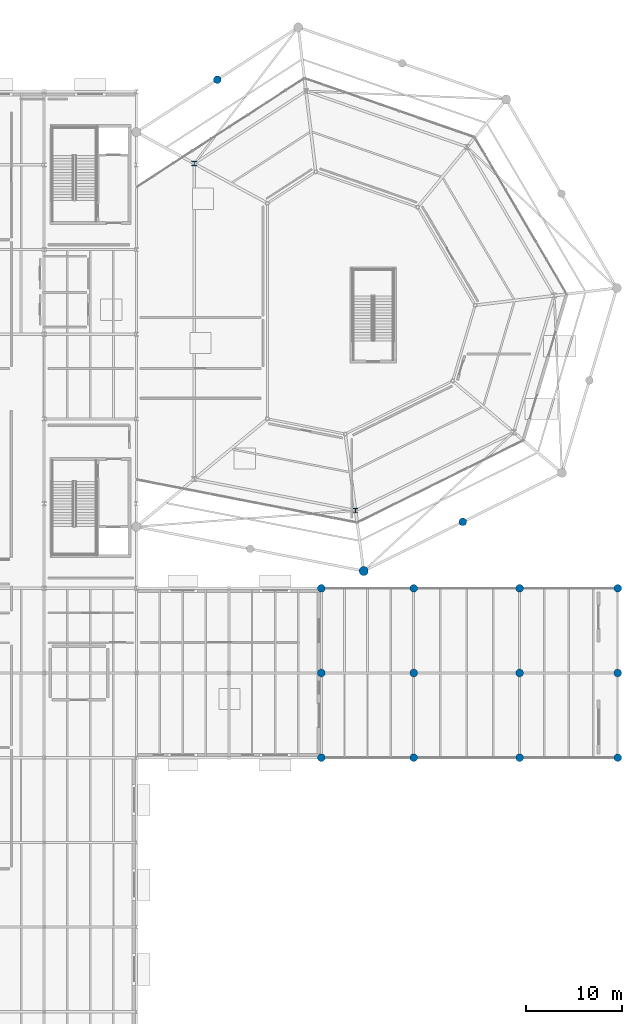
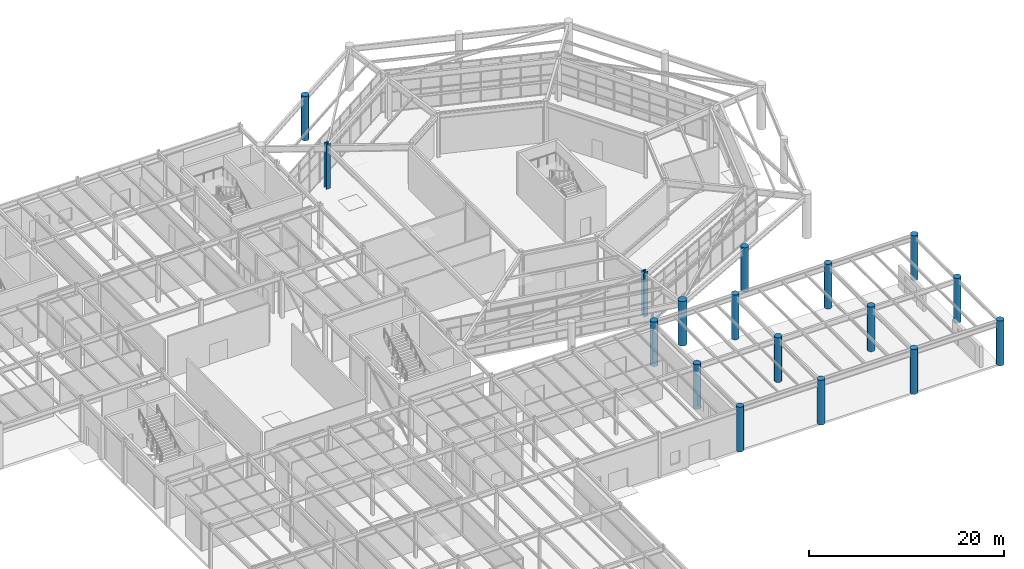
# One storey, part 14 of 70: 17 columns.
"""IFC4 building model written with IfcOpenShell, lengths in metres."""

from ifc_helpers import new_model, si_unit, direction, frame, origin, origin_2d, place, context, subcontext, project, spatial, circle, i_section, extrude, material, material_profile, profile_set, type_object, element, save


model = new_model("IFC4")

# Units and contexts
model_context = context("Model", 3, precision=1e-05, world=origin(), true_north=direction((0.0, 1.0)))
body_context = subcontext(model_context, "Body", "Model", "MODEL_VIEW")
ifc_project = project(units=[si_unit("LENGTHUNIT", "METRE"), si_unit("AREAUNIT", "SQUARE_METRE"), si_unit("VOLUMEUNIT", "CUBIC_METRE"), si_unit("PLANEANGLEUNIT", "RADIAN"), si_unit("MASSUNIT", "GRAM", prefix="KILO")], contexts=[model_context])

# Site, building, storey
site_placement = place(None, origin())
site = spatial("IfcSite", under=ifc_project, at=site_placement, CompositionType="ELEMENT")
building_placement = place(site_placement, origin())
building = spatial("IfcBuilding", under=site, at=building_placement, Name="Sarnbrook Museum", CompositionType="ELEMENT")
storey_placement = place(building_placement, origin())
storey = spatial("IfcBuildingStorey", under=building, at=storey_placement, Name="L00", CompositionType="ELEMENT", Elevation=0.0)

# Columns
ifc_material_1 = material(Name="Concrete N50 (AS 3600, f'c = 50 MPa)", Category="concrete")
ifc_material_profile_1 = material_profile(ifc_material_1, circle(Radius=0.39990234375, at=origin_2d()), Name="DORIC D800")
ifc_profile_set_1 = profile_set([ifc_material_profile_1], Name="Concrete N50 (AS 3600, f'c = 50 MPa)")
column_type_1 = type_object("IfcColumnType", Name="COL-DORIC800", PredefinedType="COLUMN", material=ifc_profile_set_1)
for number, where, z_axis, x_axis, name in (
    (1, (138.39990234375, 39.199951171875, 0.0), (0.0, 0.0, 1.0), (1.0, 0.0, 0.0), "Column 15-E L00"),
    (2, (138.39990234375, 48.0, 0.0), (0.0, 0.0, 1.0), (1.0, 0.0, 0.0), "Column 15-F L00"),
    (3, (138.39990234375, 56.800048828125, 0.0), (0.0, 0.0, 1.0), (1.0, 0.0, 0.0), "Column 15-G L00"),
    (4, (148.0, 39.199951171875, 0.0), (0.0, 0.0, 1.0), (1.0, 0.0, 0.0), "Column 16-E L00"),
    (5, (148.0, 48.0, 0.0), (0.0, 0.0, 1.0), (1.0, 0.0, 0.0), "Column 16-F L00"),
    (6, (148.0, 56.800048828125, 0.0), (0.0, 0.0, 1.0), (1.0, 0.0, 0.0), "Column 16-G L00"),
    (7, (159.0, 39.199951171875, 0.0), (0.0, 0.0, 1.0), (1.0, 0.0, 0.0), "Column 17-E L00"),
    (8, (159.0, 48.0, 0.0), (0.0, 0.0, 1.0), (1.0, 0.0, 0.0), "Column 17-F L00"),
    (9, (159.0, 56.800048828125, 0.0), (0.0, 0.0, 1.0), (1.0, 0.0, 0.0), "Column 17-G L00"),
    (10, (169.199951171875, 39.199951171875, 0.0), (0.0, 0.0, 1.0), (1.0, 0.0, 0.0), "Column 18-E L00"),
    (11, (169.199951171875, 48.0, 0.0), (0.0, 0.0, 1.0), (1.0, 0.0, 0.0), "Column 18-F L00"),
    (12, (169.199951171875, 56.800048828125, 0.0), (0.0, 0.0, 1.0), (1.0, 0.0, 0.0), "Column 18-G L00"),
):
    element("IfcColumn", number, at=place(storey_placement, frame(where, z_axis=z_axis, x_axis=x_axis)), inside=storey, type_object=column_type_1, Name=name, PredefinedType="COLUMN", context=body_context, shape_type="SweptSolid", body=[
        extrude(circle(Radius=0.39990234375, at=origin_2d()), origin(), (0.0, 0.0, 1.0), 5.60009765625),
    ])
for number, where, z_axis, x_axis, name in (
    (13, (153.10009765625, 63.699951171875, 0.0), (0.0, 0.0, 1.0), (1.0, 0.0, 0.0), "Doric Colonnade Column M2 L00"),
    (14, (127.60009765625, 109.64990234375, 0.0), (0.0, 0.0, 1.0), (1.0, 0.0, 0.0), "Doric Colonnade Column M6 L00"),
):
    element("IfcColumn", number, at=place(storey_placement, frame(where, z_axis=z_axis, x_axis=x_axis)), inside=storey, type_object=column_type_1, Name=name, PredefinedType="COLUMN", context=body_context, shape_type="SweptSolid", body=[
        extrude(circle(Radius=0.39990234375, at=origin_2d()), origin(), (0.0, 0.0, 1.0), 5.56005859375),
    ])
ifc_material_profile_2 = material_profile(ifc_material_1, circle(Radius=0.47509765625, at=origin_2d()), Name="DORIC D950")
ifc_profile_set_2 = profile_set([ifc_material_profile_2], Name="Concrete N50 (AS 3600, f'c = 50 MPa)")
column_type_2 = type_object("IfcColumnType", Name="COL-DORIC950", PredefinedType="COLUMN", material=ifc_profile_set_2)
column_placement = place(storey_placement, frame((142.800048828125, 58.60009765625, 0.0), z_axis=(0.0, 0.0, 1.0), x_axis=(1.0, 0.0, 0.0)))
element("IfcColumn", 15, at=column_placement, inside=storey, type_object=column_type_2, Name="Doric Colonnade Corner Column V2 L00", PredefinedType="COLUMN", context=body_context, shape_type="SweptSolid", body=[
    extrude(circle(Radius=0.47509765625, at=origin_2d()), origin(), (0.0, 0.0, 1.0), 5.56005859375),
])
ifc_material_2 = material(Name="Structural Steel Grade 350L0 (AS/NZS 3678, fy = 340 MPa for 20 < t <= 40 mm)", Category="steel")
ifc_material_profile_3 = material_profile(ifc_material_2, i_section(OverallWidth=0.5, OverallDepth=0.489990234375, WebThickness=0.028076171875, FlangeThickness=0.0400390625, at=origin_2d()), Name="500WC340")
ifc_profile_set_3 = profile_set([ifc_material_profile_3], Name="Structural Steel Grade 350L0 (AS/NZS 3678, fy = 340 MPa for 20 < t <= 40 mm)")
column_type_3 = type_object("IfcColumnType", Name="COL-WC500", PredefinedType="COLUMN", material=ifc_profile_set_3)
for number, where, z_axis, x_axis, name in (
    (16, (141.9560546875, 64.87744140625, 0.0), (0.0, 0.0, 1.0), (1.0, 0.0, 0.0), "Crystal Hall Ring Column R1-2 L00"),
    (17, (125.199951171875, 100.940673828125, 0.0), (0.0, 0.0, 1.0), (1.0, 0.0, 0.0), "Crystal Hall Ring Column R1-7 L00"),
):
    element("IfcColumn", number, at=place(storey_placement, frame(where, z_axis=z_axis, x_axis=x_axis)), inside=storey, type_object=column_type_3, Name=name, PredefinedType="COLUMN", context=body_context, shape_type="SweptSolid", body=[
        extrude(i_section(OverallWidth=0.5, OverallDepth=0.489990234375, WebThickness=0.028076171875, FlangeThickness=0.0400390625, at=origin_2d()), origin(), (0.0, 0.0, 1.0), 5.60009765625),
    ])

save(model, "model.ifc")
